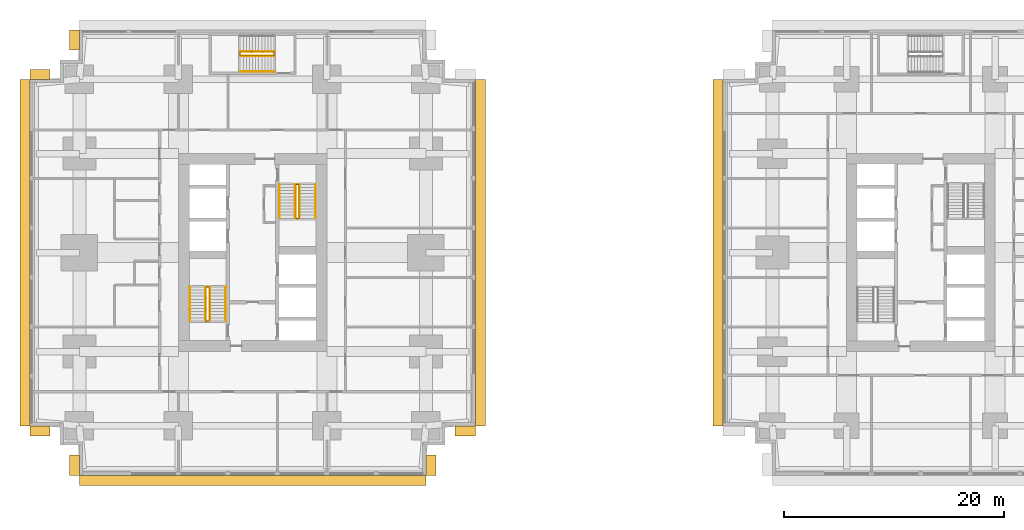
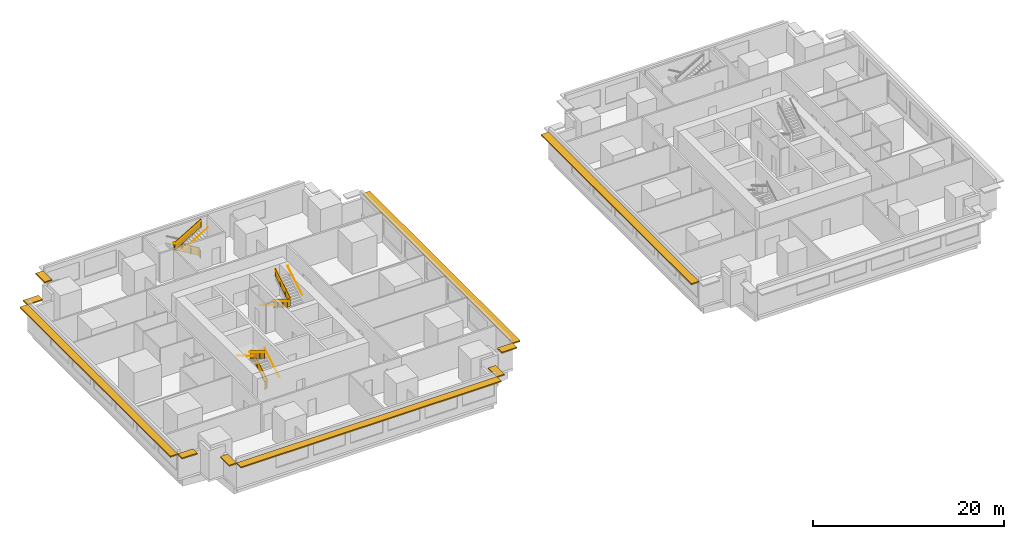
# One storey, part 9 of 11: 14 railings, 10 shading devices.
"""IFC4 building model written with IfcOpenShell, lengths in metres."""

from ifc_helpers import new_model, si_unit, direction, frame, origin, origin_2d, place, context, subcontext, project, spatial, polyline, rectangle, circle, outline, extrude, material, layer, layer_set, type_object, element, save


model = new_model("IFC4")

# Units and contexts
model_context = context("Model", 3, precision=1e-05, world=origin(), true_north=direction((0.0, 1.0)))
body_context = subcontext(model_context, "Body", "Model", "MODEL_VIEW")
ifc_project = project(units=[si_unit("LENGTHUNIT", "METRE"), si_unit("AREAUNIT", "SQUARE_METRE"), si_unit("VOLUMEUNIT", "CUBIC_METRE"), si_unit("PLANEANGLEUNIT", "RADIAN"), si_unit("MASSUNIT", "GRAM", prefix="KILO")], contexts=[model_context])

# Site, building, storey
site_placement = place(None, origin())
site = spatial("IfcSite", under=ifc_project, at=site_placement, CompositionType="ELEMENT")
building_placement = place(site_placement, origin())
building = spatial("IfcBuilding", under=site, at=building_placement, Name="Namib Vertical Campus", CompositionType="ELEMENT")
storey_placement = place(building_placement, frame((0.0, 0.0, 33.0)))
storey = spatial("IfcBuildingStorey", under=building, at=storey_placement, Name="L07", CompositionType="ELEMENT", Elevation=33.0)

# Railings
ifc_material_1 = material(Name="Steel handrail", Category="steel")
railing_type_1 = type_object("IfcRailingType", Name="Handrail 900", PredefinedType="HANDRAIL", material=ifc_material_1)
railing_1_placement = place(storey_placement, frame((17.800048828125, 14.050048828125, 0.166748046875)))
element("IfcRailing", 1, at=railing_1_placement, inside=storey, type_object=railing_type_1, Name="Handrail HR1 A-S1 L07 1", PredefinedType="HANDRAIL", context=body_context, shape_type="SweptSolid", body=[
    extrude(circle(Radius=0.02392578125, at=origin_2d()), frame((0.0, 0.0, 0.8759765625), z_axis=(0.0, 0.859290745958, 0.51148745235), x_axis=(-1.0, 0.0, 0.0)), (0.0, 0.0, 1.0), 3.584228515625),
    extrude(circle(Radius=0.008056640625, at=origin_2d()), frame((0.0, 0.0, 0.8759765625), z_axis=(1.0, 0.0, 0.0), x_axis=(0.0, 0.0, 1.0)), (0.0, 0.0, 1.0), 0.050048828125),
    extrude(circle(Radius=0.008056640625, at=origin_2d()), frame((0.0, 1.026611328125, 1.48681640625), z_axis=(1.0, 0.0, 0.0), x_axis=(0.0, 0.0, 1.0)), (0.0, 0.0, 1.0), 0.050048828125),
    extrude(circle(Radius=0.008056640625, at=origin_2d()), frame((0.0, 2.05322265625, 2.09814453125), z_axis=(1.0, 0.0, 0.0), x_axis=(0.0, 0.0, 1.0)), (0.0, 0.0, 1.0), 0.050048828125),
    extrude(circle(Radius=0.008056640625, at=origin_2d()), frame((0.0, 3.079833984375, 2.708984375), z_axis=(1.0, 0.0, 0.0), x_axis=(0.0, 0.0, 1.0)), (0.0, 0.0, 1.0), 0.050048828125),
])
railing_2_placement = place(storey_placement, frame((14.550048828125, 17.1298828125, 2.166748046875)))
element("IfcRailing", 2, at=railing_2_placement, inside=storey, type_object=railing_type_1, Name="Handrail HR1 A-S1 L07 2", PredefinedType="HANDRAIL", context=body_context, shape_type="SweptSolid", body=[
    extrude(circle(Radius=0.02392578125, at=origin_2d()), frame((0.0, 0.0, 0.8759765625), z_axis=(0.0, -0.859290745958, 0.51148745235), x_axis=(1.0, 0.0, 0.0)), (0.0, 0.0, 1.0), 3.584228515625),
    extrude(circle(Radius=0.008056640625, at=origin_2d()), frame((0.0, 0.0, 0.8759765625), z_axis=(-1.0, 0.0, 0.0), x_axis=(0.0, 0.0, 1.0)), (0.0, 0.0, 1.0), 0.050048828125),
    extrude(circle(Radius=0.008056640625, at=origin_2d()), frame((0.0, -1.026611328125, 1.48681640625), z_axis=(-1.0, 0.0, 0.0), x_axis=(0.0, 0.0, 1.0)), (0.0, 0.0, 1.0), 0.050048828125),
    extrude(circle(Radius=0.008056640625, at=origin_2d()), frame((0.0, -2.05322265625, 2.09814453125), z_axis=(-1.0, 0.0, 0.0), x_axis=(0.0, 0.0, 1.0)), (0.0, 0.0, 1.0), 0.050048828125),
    extrude(circle(Radius=0.008056640625, at=origin_2d()), frame((0.0, -3.079833984375, 2.708984375), z_axis=(-1.0, 0.0, 0.0), x_axis=(0.0, 0.0, 1.0)), (0.0, 0.0, 1.0), 0.050048828125),
])
railing_3_placement = place(storey_placement, frame((16.375, 14.050048828125, 0.166748046875)))
element("IfcRailing", 3, at=railing_3_placement, inside=storey, type_object=railing_type_1, Name="Handrail HR1 A-S1 L07 1 at the well", PredefinedType="HANDRAIL", context=body_context, shape_type="SweptSolid", body=[
    extrude(circle(Radius=0.02392578125, at=origin_2d()), frame((0.0, 0.0, 0.8759765625), z_axis=(0.0, 0.859290745958, 0.51148745235), x_axis=(-1.0, 0.0, 0.0)), (0.0, 0.0, 1.0), 3.584228515625),
    extrude(circle(Radius=0.008056640625, at=origin_2d()), frame((0.0, 0.0, 0.8759765625), z_axis=(-1.0, 0.0, 0.0), x_axis=(0.0, 0.0, 1.0)), (0.0, 0.0, 1.0), 0.0400390625),
    extrude(circle(Radius=0.008056640625, at=origin_2d()), frame((0.0, 1.026611328125, 1.48681640625), z_axis=(-1.0, 0.0, 0.0), x_axis=(0.0, 0.0, 1.0)), (0.0, 0.0, 1.0), 0.0400390625),
    extrude(circle(Radius=0.008056640625, at=origin_2d()), frame((0.0, 2.05322265625, 2.09814453125), z_axis=(-1.0, 0.0, 0.0), x_axis=(0.0, 0.0, 1.0)), (0.0, 0.0, 1.0), 0.0400390625),
    extrude(circle(Radius=0.008056640625, at=origin_2d()), frame((0.0, 3.079833984375, 2.708984375), z_axis=(-1.0, 0.0, 0.0), x_axis=(0.0, 0.0, 1.0)), (0.0, 0.0, 1.0), 0.0400390625),
])
railing_4_placement = place(storey_placement, frame((15.97509765625, 17.1298828125, 2.166748046875)))
element("IfcRailing", 4, at=railing_4_placement, inside=storey, type_object=railing_type_1, Name="Handrail HR1 A-S1 L07 2 at the well", PredefinedType="HANDRAIL", context=body_context, shape_type="SweptSolid", body=[
    extrude(circle(Radius=0.02392578125, at=origin_2d()), frame((0.0, 0.0, 0.8759765625), z_axis=(0.0, -0.859290745958, 0.51148745235), x_axis=(1.0, 0.0, 0.0)), (0.0, 0.0, 1.0), 3.584228515625),
    extrude(circle(Radius=0.008056640625, at=origin_2d()), frame((0.0, 0.0, 0.8759765625), z_axis=(1.0, 0.0, 0.0), x_axis=(0.0, 0.0, 1.0)), (0.0, 0.0, 1.0), 0.0400390625),
    extrude(circle(Radius=0.008056640625, at=origin_2d()), frame((0.0, -1.026611328125, 1.48681640625), z_axis=(1.0, 0.0, 0.0), x_axis=(0.0, 0.0, 1.0)), (0.0, 0.0, 1.0), 0.0400390625),
    extrude(circle(Radius=0.008056640625, at=origin_2d()), frame((0.0, -2.05322265625, 2.09814453125), z_axis=(1.0, 0.0, 0.0), x_axis=(0.0, 0.0, 1.0)), (0.0, 0.0, 1.0), 0.0400390625),
    extrude(circle(Radius=0.008056640625, at=origin_2d()), frame((0.0, -3.079833984375, 2.708984375), z_axis=(1.0, 0.0, 0.0), x_axis=(0.0, 0.0, 1.0)), (0.0, 0.0, 1.0), 0.0400390625),
])
railing_5_placement = place(storey_placement, frame((22.699951171875, 26.449951171875, 0.166748046875)))
element("IfcRailing", 5, at=railing_5_placement, inside=storey, type_object=railing_type_1, Name="Handrail HR1 A-S2 L07 1", PredefinedType="HANDRAIL", context=body_context, shape_type="SweptSolid", body=[
    extrude(circle(Radius=0.02392578125, at=origin_2d()), frame((0.0, 0.0, 0.8759765625), z_axis=(0.0, -0.859290745958, 0.51148745235), x_axis=(1.0, 0.0, 0.0)), (0.0, 0.0, 1.0), 3.584228515625),
    extrude(circle(Radius=0.008056640625, at=origin_2d()), frame((0.0, 0.0, 0.8759765625), z_axis=(-1.0, 0.0, 0.0), x_axis=(0.0, 0.0, 1.0)), (0.0, 0.0, 1.0), 0.050048828125),
    extrude(circle(Radius=0.008056640625, at=origin_2d()), frame((0.0, -1.026611328125, 1.48681640625), z_axis=(-1.0, 0.0, 0.0), x_axis=(0.0, 0.0, 1.0)), (0.0, 0.0, 1.0), 0.050048828125),
    extrude(circle(Radius=0.008056640625, at=origin_2d()), frame((0.0, -2.05322265625, 2.09814453125), z_axis=(-1.0, 0.0, 0.0), x_axis=(0.0, 0.0, 1.0)), (0.0, 0.0, 1.0), 0.050048828125),
    extrude(circle(Radius=0.008056640625, at=origin_2d()), frame((0.0, -3.079833984375, 2.708984375), z_axis=(-1.0, 0.0, 0.0), x_axis=(0.0, 0.0, 1.0)), (0.0, 0.0, 1.0), 0.050048828125),
])
railing_6_placement = place(storey_placement, frame((25.949951171875, 23.3701171875, 2.166748046875)))
element("IfcRailing", 6, at=railing_6_placement, inside=storey, type_object=railing_type_1, Name="Handrail HR1 A-S2 L07 2", PredefinedType="HANDRAIL", context=body_context, shape_type="SweptSolid", body=[
    extrude(circle(Radius=0.02392578125, at=origin_2d()), frame((0.0, 0.0, 0.8759765625), z_axis=(0.0, 0.859290745958, 0.51148745235), x_axis=(-1.0, 0.0, 0.0)), (0.0, 0.0, 1.0), 3.584228515625),
    extrude(circle(Radius=0.008056640625, at=origin_2d()), frame((0.0, 0.0, 0.8759765625), z_axis=(1.0, 0.0, 0.0), x_axis=(0.0, 0.0, 1.0)), (0.0, 0.0, 1.0), 0.050048828125),
    extrude(circle(Radius=0.008056640625, at=origin_2d()), frame((0.0, 1.026611328125, 1.48681640625), z_axis=(1.0, 0.0, 0.0), x_axis=(0.0, 0.0, 1.0)), (0.0, 0.0, 1.0), 0.050048828125),
    extrude(circle(Radius=0.008056640625, at=origin_2d()), frame((0.0, 2.05322265625, 2.09814453125), z_axis=(1.0, 0.0, 0.0), x_axis=(0.0, 0.0, 1.0)), (0.0, 0.0, 1.0), 0.050048828125),
    extrude(circle(Radius=0.008056640625, at=origin_2d()), frame((0.0, 3.079833984375, 2.708984375), z_axis=(1.0, 0.0, 0.0), x_axis=(0.0, 0.0, 1.0)), (0.0, 0.0, 1.0), 0.050048828125),
])
railing_7_placement = place(storey_placement, frame((24.125, 26.449951171875, 0.166748046875)))
element("IfcRailing", 7, at=railing_7_placement, inside=storey, type_object=railing_type_1, Name="Handrail HR1 A-S2 L07 1 at the well", PredefinedType="HANDRAIL", context=body_context, shape_type="SweptSolid", body=[
    extrude(circle(Radius=0.02392578125, at=origin_2d()), frame((0.0, 0.0, 0.8759765625), z_axis=(0.0, -0.859290745958, 0.51148745235), x_axis=(1.0, 0.0, 0.0)), (0.0, 0.0, 1.0), 3.584228515625),
    extrude(circle(Radius=0.008056640625, at=origin_2d()), frame((0.0, 0.0, 0.8759765625), z_axis=(1.0, 0.0, 0.0), x_axis=(0.0, 0.0, 1.0)), (0.0, 0.0, 1.0), 0.0400390625),
    extrude(circle(Radius=0.008056640625, at=origin_2d()), frame((0.0, -1.026611328125, 1.48681640625), z_axis=(1.0, 0.0, 0.0), x_axis=(0.0, 0.0, 1.0)), (0.0, 0.0, 1.0), 0.0400390625),
    extrude(circle(Radius=0.008056640625, at=origin_2d()), frame((0.0, -2.05322265625, 2.09814453125), z_axis=(1.0, 0.0, 0.0), x_axis=(0.0, 0.0, 1.0)), (0.0, 0.0, 1.0), 0.0400390625),
    extrude(circle(Radius=0.008056640625, at=origin_2d()), frame((0.0, -3.079833984375, 2.708984375), z_axis=(1.0, 0.0, 0.0), x_axis=(0.0, 0.0, 1.0)), (0.0, 0.0, 1.0), 0.0400390625),
])
railing_8_placement = place(storey_placement, frame((24.52490234375, 23.3701171875, 2.166748046875)))
element("IfcRailing", 8, at=railing_8_placement, inside=storey, type_object=railing_type_1, Name="Handrail HR1 A-S2 L07 2 at the well", PredefinedType="HANDRAIL", context=body_context, shape_type="SweptSolid", body=[
    extrude(circle(Radius=0.02392578125, at=origin_2d()), frame((0.0, 0.0, 0.8759765625), z_axis=(0.0, 0.859290745958, 0.51148745235), x_axis=(-1.0, 0.0, 0.0)), (0.0, 0.0, 1.0), 3.584228515625),
    extrude(circle(Radius=0.008056640625, at=origin_2d()), frame((0.0, 0.0, 0.8759765625), z_axis=(-1.0, 0.0, 0.0), x_axis=(0.0, 0.0, 1.0)), (0.0, 0.0, 1.0), 0.0400390625),
    extrude(circle(Radius=0.008056640625, at=origin_2d()), frame((0.0, 1.026611328125, 1.48681640625), z_axis=(-1.0, 0.0, 0.0), x_axis=(0.0, 0.0, 1.0)), (0.0, 0.0, 1.0), 0.0400390625),
    extrude(circle(Radius=0.008056640625, at=origin_2d()), frame((0.0, 2.05322265625, 2.09814453125), z_axis=(-1.0, 0.0, 0.0), x_axis=(0.0, 0.0, 1.0)), (0.0, 0.0, 1.0), 0.0400390625),
    extrude(circle(Radius=0.008056640625, at=origin_2d()), frame((0.0, 3.079833984375, 2.708984375), z_axis=(-1.0, 0.0, 0.0), x_axis=(0.0, 0.0, 1.0)), (0.0, 0.0, 1.0), 0.0400390625),
])
railing_9_placement = place(storey_placement, frame((19.1201171875, 36.699951171875, 2.166748046875)))
element("IfcRailing", 9, at=railing_9_placement, inside=storey, type_object=railing_type_1, Name="Handrail HR1 A-S3 L07 2", PredefinedType="HANDRAIL", context=body_context, shape_type="SweptSolid", body=[
    extrude(circle(Radius=0.02392578125, at=origin_2d()), frame((0.0, 0.0, 0.8759765625), z_axis=(0.859290745958, 0.0, 0.51148745235), x_axis=(0.0, 1.0, 0.0)), (0.0, 0.0, 1.0), 3.584228515625),
    extrude(circle(Radius=0.008056640625, at=origin_2d()), frame((0.0, 0.0, 0.8759765625), z_axis=(0.0, -1.0, 0.0), x_axis=(0.0, 0.0, 1.0)), (0.0, 0.0, 1.0), 0.050048828125),
    extrude(circle(Radius=0.008056640625, at=origin_2d()), frame((1.026611328125, 0.0, 1.48681640625), z_axis=(0.0, -1.0, 0.0), x_axis=(0.0, 0.0, 1.0)), (0.0, 0.0, 1.0), 0.050048828125),
    extrude(circle(Radius=0.008056640625, at=origin_2d()), frame((2.05322265625, 0.0, 2.09814453125), z_axis=(0.0, -1.0, 0.0), x_axis=(0.0, 0.0, 1.0)), (0.0, 0.0, 1.0), 0.050048828125),
    extrude(circle(Radius=0.008056640625, at=origin_2d()), frame((3.079833984375, 0.0, 2.708984375), z_axis=(0.0, -1.0, 0.0), x_axis=(0.0, 0.0, 1.0)), (0.0, 0.0, 1.0), 0.050048828125),
])
railing_10_placement = place(storey_placement, frame((22.199951171875, 38.52490234375, 0.166748046875)))
element("IfcRailing", 10, at=railing_10_placement, inside=storey, type_object=railing_type_1, Name="Handrail HR1 A-S3 L07 1 at the well", PredefinedType="HANDRAIL", context=body_context, shape_type="SweptSolid", body=[
    extrude(circle(Radius=0.02392578125, at=origin_2d()), frame((0.0, 0.0, 0.8759765625), z_axis=(-0.859290745958, 0.0, 0.51148745235), x_axis=(0.0, -1.0, 0.0)), (0.0, 0.0, 1.0), 3.584228515625),
    extrude(circle(Radius=0.008056640625, at=origin_2d()), frame((0.0, 0.0, 0.8759765625), z_axis=(0.0, -1.0, 0.0), x_axis=(0.0, 0.0, 1.0)), (0.0, 0.0, 1.0), 0.0400390625),
    extrude(circle(Radius=0.008056640625, at=origin_2d()), frame((-1.026611328125, 0.0, 1.48681640625), z_axis=(0.0, -1.0, 0.0), x_axis=(0.0, 0.0, 1.0)), (0.0, 0.0, 1.0), 0.0400390625),
    extrude(circle(Radius=0.008056640625, at=origin_2d()), frame((-2.05322265625, 0.0, 2.09814453125), z_axis=(0.0, -1.0, 0.0), x_axis=(0.0, 0.0, 1.0)), (0.0, 0.0, 1.0), 0.0400390625),
    extrude(circle(Radius=0.008056640625, at=origin_2d()), frame((-3.079833984375, 0.0, 2.708984375), z_axis=(0.0, -1.0, 0.0), x_axis=(0.0, 0.0, 1.0)), (0.0, 0.0, 1.0), 0.0400390625),
])
railing_11_placement = place(storey_placement, frame((19.1201171875, 38.125, 2.166748046875)))
element("IfcRailing", 11, at=railing_11_placement, inside=storey, type_object=railing_type_1, Name="Handrail HR1 A-S3 L07 2 at the well", PredefinedType="HANDRAIL", context=body_context, shape_type="SweptSolid", body=[
    extrude(circle(Radius=0.02392578125, at=origin_2d()), frame((0.0, 0.0, 0.8759765625), z_axis=(0.859290745958, 0.0, 0.51148745235), x_axis=(0.0, 1.0, 0.0)), (0.0, 0.0, 1.0), 3.584228515625),
    extrude(circle(Radius=0.008056640625, at=origin_2d()), frame((0.0, 0.0, 0.8759765625), z_axis=(0.0, 1.0, 0.0), x_axis=(0.0, 0.0, 1.0)), (0.0, 0.0, 1.0), 0.0400390625),
    extrude(circle(Radius=0.008056640625, at=origin_2d()), frame((1.026611328125, 0.0, 1.48681640625), z_axis=(0.0, 1.0, 0.0), x_axis=(0.0, 0.0, 1.0)), (0.0, 0.0, 1.0), 0.0400390625),
    extrude(circle(Radius=0.008056640625, at=origin_2d()), frame((2.05322265625, 0.0, 2.09814453125), z_axis=(0.0, 1.0, 0.0), x_axis=(0.0, 0.0, 1.0)), (0.0, 0.0, 1.0), 0.0400390625),
    extrude(circle(Radius=0.008056640625, at=origin_2d()), frame((3.079833984375, 0.0, 2.708984375), z_axis=(0.0, 1.0, 0.0), x_axis=(0.0, 0.0, 1.0)), (0.0, 0.0, 1.0), 0.0400390625),
])
ifc_material_2 = material(Name="Steel balustrade", Category="steel")
railing_type_2 = type_object("IfcRailingType", Name="Stair guard 1100", PredefinedType="GUARDRAIL", material=ifc_material_2)
railing_12_placement = place(storey_placement, frame((16.02490234375, 14.050048828125, 0.0)))
element("IfcRailing", 12, at=railing_12_placement, inside=storey, type_object=railing_type_2, Name="Stair guard GR1 A-S1 L07", PredefinedType="GUARDRAIL", context=body_context, shape_type="SweptSolid", body=[
    extrude(circle(Radius=0.02392578125, at=origin_2d()), frame((0.0, 0.0, 1.076171875), z_axis=(1.0, 0.0, 0.0), x_axis=(0.0, 1.0, 0.0)), (0.0, 0.0, 1.0), 0.300048828125),
    extrude(outline(polyline([(0.02099609375, 0.050048828125), (0.279052734375, 0.050048828125), (0.279052734375, 1.052001953125), (0.02099609375, 1.052001953125), (0.02099609375, 0.050048828125)])), frame((0.0, 0.010009765625, 0.0), z_axis=(0.0, -1.0, 0.0), x_axis=(1.0, 0.0, 0.0)), (0.0, 0.0, 1.0), 0.02001953125),
    extrude(circle(Radius=0.02392578125, at=origin_2d()), frame((0.300048828125, 0.0, 1.076171875), z_axis=(0.0, 0.0, 1.0), x_axis=(1.0, 0.0, 0.0)), (0.0, 0.0, 1.0), 0.166748046875),
    extrude(circle(Radius=0.02392578125, at=origin_2d()), frame((0.300048828125, 0.0, 1.24267578125), z_axis=(0.0, 0.859290745958, 0.51148745235), x_axis=(-1.0, 0.0, 0.0)), (0.0, 0.0, 1.0), 3.584228515625),
    extrude(outline(polyline([(0.02099609375, 0.0625), (3.058837890625, 1.870849609375), (3.058837890625, 2.872802734375), (0.02099609375, 1.064453125), (0.02099609375, 0.0625)])), frame((0.2900390625, 0.0, 0.166748046875), z_axis=(1.0, 0.0, 0.0), x_axis=(0.0, 1.0, 0.0)), (0.0, 0.0, 1.0), 0.02001953125),
    extrude(circle(Radius=0.02392578125, at=origin_2d()), frame((0.300048828125, 3.079833984375, 3.076171875), z_axis=(-1.0, 0.0, 0.0), x_axis=(0.0, -1.0, 0.0)), (0.0, 0.0, 1.0), 0.300048828125),
    extrude(outline(polyline([(0.02099609375, 0.050048828125), (0.279052734375, 0.050048828125), (0.279052734375, 1.052001953125), (0.02099609375, 1.052001953125), (0.02099609375, 0.050048828125)])), frame((0.300048828125, 3.06982421875, 2.0), z_axis=(0.0, 1.0, 0.0), x_axis=(-1.0, 0.0, 0.0)), (0.0, 0.0, 1.0), 0.02001953125),
    extrude(circle(Radius=0.02392578125, at=origin_2d()), frame((0.0, 3.079833984375, 3.076171875), z_axis=(0.0, 0.0, 1.0), x_axis=(1.0, 0.0, 0.0)), (0.0, 0.0, 1.0), 0.166748046875),
    extrude(circle(Radius=0.02392578125, at=origin_2d()), frame((0.0, 3.079833984375, 3.24267578125), z_axis=(0.0, -0.859290745958, 0.51148745235), x_axis=(1.0, 0.0, 0.0)), (0.0, 0.0, 1.0), 3.584228515625),
    extrude(outline(polyline([(0.02099609375, 0.0625), (3.058837890625, 1.870849609375), (3.058837890625, 2.872802734375), (0.02099609375, 1.064453125), (0.02099609375, 0.0625)])), frame((0.010009765625, 3.079833984375, 2.166748046875), z_axis=(-1.0, 0.0, 0.0), x_axis=(0.0, -1.0, 0.0)), (0.0, 0.0, 1.0), 0.02001953125),
    extrude(circle(Radius=0.02392578125, at=origin_2d()), frame((0.0, 0.0, 5.076171875), z_axis=(0.0, -1.0, 0.0), x_axis=(1.0, 0.0, 0.0)), (0.0, 0.0, 1.0), 0.050048828125),
    extrude(outline(polyline([(0.02099609375, 0.050048828125), (0.029052734375, 0.050048828125), (0.029052734375, 1.052001953125), (0.02099609375, 1.052001953125), (0.02099609375, 0.050048828125)])), frame((0.010009765625, 0.0, 4.0), z_axis=(-1.0, 0.0, 0.0), x_axis=(0.0, -1.0, 0.0)), (0.0, 0.0, 1.0), 0.02001953125),
    extrude(circle(Radius=0.02099609375, at=origin_2d()), origin(), (0.0, 0.0, 1.0), 1.052001953125),
    extrude(circle(Radius=0.02099609375, at=origin_2d()), frame((0.300048828125, 0.0, 0.166748046875)), (0.0, 0.0, 1.0), 1.052001953125),
    extrude(circle(Radius=0.02099609375, at=origin_2d()), frame((0.300048828125, 1.026611328125, 0.666748046875)), (0.0, 0.0, 1.0), 1.1630859375),
    extrude(circle(Radius=0.02099609375, at=origin_2d()), frame((0.300048828125, 2.05322265625, 1.33349609375)), (0.0, 0.0, 1.0), 1.107421875),
    extrude(circle(Radius=0.02099609375, at=origin_2d()), frame((0.300048828125, 3.079833984375, 2.0)), (0.0, 0.0, 1.0), 1.052001953125),
    extrude(circle(Radius=0.02099609375, at=origin_2d()), frame((0.0, 3.079833984375, 2.166748046875)), (0.0, 0.0, 1.0), 1.052001953125),
    extrude(circle(Radius=0.02099609375, at=origin_2d()), frame((0.0, 2.05322265625, 2.666748046875)), (0.0, 0.0, 1.0), 1.1630859375),
    extrude(circle(Radius=0.02099609375, at=origin_2d()), frame((0.0, 1.026611328125, 3.33349609375)), (0.0, 0.0, 1.0), 1.107421875),
    extrude(circle(Radius=0.02099609375, at=origin_2d()), frame((0.0, 0.0, 4.0)), (0.0, 0.0, 1.0), 1.052001953125),
    extrude(circle(Radius=0.02099609375, at=origin_2d()), frame((0.0, -0.050048828125, 4.0)), (0.0, 0.0, 1.0), 1.052001953125),
])
railing_13_placement = place(storey_placement, frame((24.47509765625, 26.449951171875, 0.0)))
element("IfcRailing", 13, at=railing_13_placement, inside=storey, type_object=railing_type_2, Name="Stair guard GR1 A-S2 L07", PredefinedType="GUARDRAIL", context=body_context, shape_type="SweptSolid", body=[
    extrude(circle(Radius=0.02392578125, at=origin_2d()), frame((0.0, 0.0, 1.076171875), z_axis=(-1.0, 0.0, 0.0), x_axis=(0.0, -1.0, 0.0)), (0.0, 0.0, 1.0), 0.300048828125),
    extrude(outline(polyline([(0.02099609375, 0.050048828125), (0.279052734375, 0.050048828125), (0.279052734375, 1.052001953125), (0.02099609375, 1.052001953125), (0.02099609375, 0.050048828125)])), frame((0.0, -0.010009765625, 0.0), z_axis=(0.0, 1.0, 0.0), x_axis=(-1.0, 0.0, 0.0)), (0.0, 0.0, 1.0), 0.02001953125),
    extrude(circle(Radius=0.02392578125, at=origin_2d()), frame((-0.300048828125, 0.0, 1.076171875), z_axis=(0.0, 0.0, 1.0), x_axis=(1.0, 0.0, 0.0)), (0.0, 0.0, 1.0), 0.166748046875),
    extrude(circle(Radius=0.02392578125, at=origin_2d()), frame((-0.300048828125, 0.0, 1.24267578125), z_axis=(0.0, -0.859290745958, 0.51148745235), x_axis=(1.0, 0.0, 0.0)), (0.0, 0.0, 1.0), 3.584228515625),
    extrude(outline(polyline([(0.02099609375, 0.0625), (3.058837890625, 1.870849609375), (3.058837890625, 2.872802734375), (0.02099609375, 1.064453125), (0.02099609375, 0.0625)])), frame((-0.2900390625, 0.0, 0.166748046875), z_axis=(-1.0, 0.0, 0.0), x_axis=(0.0, -1.0, 0.0)), (0.0, 0.0, 1.0), 0.02001953125),
    extrude(circle(Radius=0.02392578125, at=origin_2d()), frame((-0.300048828125, -3.079833984375, 3.076171875), z_axis=(1.0, 0.0, 0.0), x_axis=(0.0, 1.0, 0.0)), (0.0, 0.0, 1.0), 0.300048828125),
    extrude(outline(polyline([(0.02099609375, 0.050048828125), (0.279052734375, 0.050048828125), (0.279052734375, 1.052001953125), (0.02099609375, 1.052001953125), (0.02099609375, 0.050048828125)])), frame((-0.300048828125, -3.06982421875, 2.0), z_axis=(0.0, -1.0, 0.0), x_axis=(1.0, 0.0, 0.0)), (0.0, 0.0, 1.0), 0.02001953125),
    extrude(circle(Radius=0.02392578125, at=origin_2d()), frame((0.0, -3.079833984375, 3.076171875), z_axis=(0.0, 0.0, 1.0), x_axis=(1.0, 0.0, 0.0)), (0.0, 0.0, 1.0), 0.166748046875),
    extrude(circle(Radius=0.02392578125, at=origin_2d()), frame((0.0, -3.079833984375, 3.24267578125), z_axis=(0.0, 0.859290745958, 0.51148745235), x_axis=(-1.0, 0.0, 0.0)), (0.0, 0.0, 1.0), 3.584228515625),
    extrude(outline(polyline([(0.02099609375, 0.0625), (3.058837890625, 1.870849609375), (3.058837890625, 2.872802734375), (0.02099609375, 1.064453125), (0.02099609375, 0.0625)])), frame((-0.010009765625, -3.079833984375, 2.166748046875), z_axis=(1.0, 0.0, 0.0), x_axis=(0.0, 1.0, 0.0)), (0.0, 0.0, 1.0), 0.02001953125),
    extrude(circle(Radius=0.02392578125, at=origin_2d()), frame((0.0, 0.0, 5.076171875), z_axis=(0.0, 1.0, 0.0), x_axis=(-1.0, 0.0, 0.0)), (0.0, 0.0, 1.0), 0.050048828125),
    extrude(outline(polyline([(0.02099609375, 0.050048828125), (0.029052734375, 0.050048828125), (0.029052734375, 1.052001953125), (0.02099609375, 1.052001953125), (0.02099609375, 0.050048828125)])), frame((-0.010009765625, 0.0, 4.0), z_axis=(1.0, 0.0, 0.0), x_axis=(0.0, 1.0, 0.0)), (0.0, 0.0, 1.0), 0.02001953125),
    extrude(circle(Radius=0.02099609375, at=origin_2d()), origin(), (0.0, 0.0, 1.0), 1.052001953125),
    extrude(circle(Radius=0.02099609375, at=origin_2d()), frame((-0.300048828125, 0.0, 0.166748046875)), (0.0, 0.0, 1.0), 1.052001953125),
    extrude(circle(Radius=0.02099609375, at=origin_2d()), frame((-0.300048828125, -1.026611328125, 0.666748046875)), (0.0, 0.0, 1.0), 1.1630859375),
    extrude(circle(Radius=0.02099609375, at=origin_2d()), frame((-0.300048828125, -2.05322265625, 1.33349609375)), (0.0, 0.0, 1.0), 1.107421875),
    extrude(circle(Radius=0.02099609375, at=origin_2d()), frame((-0.300048828125, -3.079833984375, 2.0)), (0.0, 0.0, 1.0), 1.052001953125),
    extrude(circle(Radius=0.02099609375, at=origin_2d()), frame((0.0, -3.079833984375, 2.166748046875)), (0.0, 0.0, 1.0), 1.052001953125),
    extrude(circle(Radius=0.02099609375, at=origin_2d()), frame((0.0, -2.05322265625, 2.666748046875)), (0.0, 0.0, 1.0), 1.1630859375),
    extrude(circle(Radius=0.02099609375, at=origin_2d()), frame((0.0, -1.026611328125, 3.33349609375)), (0.0, 0.0, 1.0), 1.107421875),
    extrude(circle(Radius=0.02099609375, at=origin_2d()), frame((0.0, 0.0, 4.0)), (0.0, 0.0, 1.0), 1.052001953125),
    extrude(circle(Radius=0.02099609375, at=origin_2d()), frame((0.0, 0.050048828125, 4.0)), (0.0, 0.0, 1.0), 1.052001953125),
])
railing_14_placement = place(storey_placement, frame((22.199951171875, 38.175048828125, 0.0)))
element("IfcRailing", 14, at=railing_14_placement, inside=storey, type_object=railing_type_2, Name="Stair guard GR1 A-S3 L07", PredefinedType="GUARDRAIL", context=body_context, shape_type="SweptSolid", body=[
    extrude(circle(Radius=0.02392578125, at=origin_2d()), frame((0.0, 0.0, 1.076171875), z_axis=(0.0, 1.0, 0.0), x_axis=(-1.0, 0.0, 0.0)), (0.0, 0.0, 1.0), 0.300048828125),
    extrude(outline(polyline([(0.02099609375, 0.050048828125), (0.279052734375, 0.050048828125), (0.279052734375, 1.052001953125), (0.02099609375, 1.052001953125), (0.02099609375, 0.050048828125)])), frame((-0.010009765625, 0.0, 0.0), z_axis=(1.0, 0.0, 0.0), x_axis=(0.0, 1.0, 0.0)), (0.0, 0.0, 1.0), 0.02001953125),
    extrude(circle(Radius=0.02392578125, at=origin_2d()), frame((0.0, 0.300048828125, 1.076171875), z_axis=(0.0, 0.0, 1.0), x_axis=(1.0, 0.0, 0.0)), (0.0, 0.0, 1.0), 0.166748046875),
    extrude(circle(Radius=0.02392578125, at=origin_2d()), frame((0.0, 0.300048828125, 1.24267578125), z_axis=(-0.859290745958, 0.0, 0.51148745235), x_axis=(0.0, -1.0, 0.0)), (0.0, 0.0, 1.0), 3.584228515625),
    extrude(outline(polyline([(0.02099609375, 0.0625), (3.058837890625, 1.870849609375), (3.058837890625, 2.872802734375), (0.02099609375, 1.064453125), (0.02099609375, 0.0625)])), frame((0.0, 0.2900390625, 0.166748046875), z_axis=(0.0, 1.0, 0.0), x_axis=(-1.0, 0.0, 0.0)), (0.0, 0.0, 1.0), 0.02001953125),
    extrude(circle(Radius=0.02392578125, at=origin_2d()), frame((-3.079833984375, 0.300048828125, 3.076171875), z_axis=(0.0, -1.0, 0.0), x_axis=(1.0, 0.0, 0.0)), (0.0, 0.0, 1.0), 0.300048828125),
    extrude(outline(polyline([(0.02099609375, 0.050048828125), (0.279052734375, 0.050048828125), (0.279052734375, 1.052001953125), (0.02099609375, 1.052001953125), (0.02099609375, 0.050048828125)])), frame((-3.06982421875, 0.300048828125, 2.0), z_axis=(-1.0, 0.0, 0.0), x_axis=(0.0, -1.0, 0.0)), (0.0, 0.0, 1.0), 0.02001953125),
    extrude(circle(Radius=0.02392578125, at=origin_2d()), frame((-3.079833984375, 0.0, 3.076171875), z_axis=(0.0, 0.0, 1.0), x_axis=(1.0, 0.0, 0.0)), (0.0, 0.0, 1.0), 0.166748046875),
    extrude(circle(Radius=0.02392578125, at=origin_2d()), frame((-3.079833984375, 0.0, 3.24267578125), z_axis=(0.859290745958, 0.0, 0.51148745235), x_axis=(0.0, 1.0, 0.0)), (0.0, 0.0, 1.0), 3.584228515625),
    extrude(outline(polyline([(0.02099609375, 0.0625), (3.058837890625, 1.870849609375), (3.058837890625, 2.872802734375), (0.02099609375, 1.064453125), (0.02099609375, 0.0625)])), frame((-3.079833984375, 0.010009765625, 2.166748046875), z_axis=(0.0, -1.0, 0.0), x_axis=(1.0, 0.0, 0.0)), (0.0, 0.0, 1.0), 0.02001953125),
    extrude(circle(Radius=0.02392578125, at=origin_2d()), frame((0.0, 0.0, 5.076171875), z_axis=(1.0, 0.0, 0.0), x_axis=(0.0, 1.0, 0.0)), (0.0, 0.0, 1.0), 0.050048828125),
    extrude(outline(polyline([(0.02099609375, 0.050048828125), (0.029052734375, 0.050048828125), (0.029052734375, 1.052001953125), (0.02099609375, 1.052001953125), (0.02099609375, 0.050048828125)])), frame((0.0, 0.010009765625, 4.0), z_axis=(0.0, -1.0, 0.0), x_axis=(1.0, 0.0, 0.0)), (0.0, 0.0, 1.0), 0.02001953125),
    extrude(circle(Radius=0.02099609375, at=origin_2d()), origin(), (0.0, 0.0, 1.0), 1.052001953125),
    extrude(circle(Radius=0.02099609375, at=origin_2d()), frame((0.0, 0.300048828125, 0.166748046875)), (0.0, 0.0, 1.0), 1.052001953125),
    extrude(circle(Radius=0.02099609375, at=origin_2d()), frame((-1.026611328125, 0.300048828125, 0.666748046875)), (0.0, 0.0, 1.0), 1.1630859375),
    extrude(circle(Radius=0.02099609375, at=origin_2d()), frame((-2.05322265625, 0.300048828125, 1.33349609375)), (0.0, 0.0, 1.0), 1.107421875),
    extrude(circle(Radius=0.02099609375, at=origin_2d()), frame((-3.079833984375, 0.300048828125, 2.0)), (0.0, 0.0, 1.0), 1.052001953125),
    extrude(circle(Radius=0.02099609375, at=origin_2d()), frame((-3.079833984375, 0.0, 2.166748046875)), (0.0, 0.0, 1.0), 1.052001953125),
    extrude(circle(Radius=0.02099609375, at=origin_2d()), frame((-2.05322265625, 0.0, 2.666748046875)), (0.0, 0.0, 1.0), 1.1630859375),
    extrude(circle(Radius=0.02099609375, at=origin_2d()), frame((-1.026611328125, 0.0, 3.33349609375)), (0.0, 0.0, 1.0), 1.107421875),
    extrude(circle(Radius=0.02099609375, at=origin_2d()), frame((0.0, 0.0, 4.0)), (0.0, 0.0, 1.0), 1.052001953125),
    extrude(circle(Radius=0.02099609375, at=origin_2d()), frame((0.050048828125, 0.0, 4.0)), (0.0, 0.0, 1.0), 1.052001953125),
])

# Shading devices
ifc_material_3 = material(Name="Concrete C40/50 precast", Category="concrete")
ifc_layer = layer(ifc_material_3, 0.14990234375)
ifc_layer_set = layer_set([ifc_layer], Name="Concrete C40/50 precast")
shading_device_type = type_object("IfcShadingDeviceType", Name="Sunshade hood 900", PredefinedType="SHUTTER", material=ifc_layer_set)
shading_device_1_placement = place(storey_placement, frame((20.25, -0.449951171875, 3.10009765625), z_axis=(0.0, 0.0, 1.0), x_axis=(1.0, 0.0, 0.0)))
element("IfcShadingDevice", 15, at=shading_device_1_placement, inside=storey, type_object=shading_device_type, Name="Sunshade SH1 L07 1", PredefinedType="SHUTTER", context=body_context, shape_type="SweptSolid", body=[
    extrude(rectangle(XDim=31.5, YDim=0.89990234375, at=origin_2d()), origin(), (0.0, 0.0, 1.0), 0.14990234375),
])
for number, where, z_axis, x_axis, name in (
    (16, (36.449951171875, 0.925048828125, 3.10009765625), (0.0, 0.0, 1.0), (0.0, 1.0, 0.0), "Sunshade SH1 L07 2"),
    (17, (39.574951171875, 4.050048828125, 3.10009765625), (0.0, 0.0, 1.0), (1.0, 0.0, 0.0), "Sunshade SH1 L07 5"),
):
    element("IfcShadingDevice", number, at=place(storey_placement, frame(where, z_axis=z_axis, x_axis=x_axis)), inside=storey, type_object=shading_device_type, Name=name, PredefinedType="SHUTTER", context=body_context, shape_type="SweptSolid", body=[
        extrude(rectangle(XDim=1.85009765625, YDim=0.89990234375, at=origin_2d()), origin(), (0.0, 0.0, 1.0), 0.14990234375),
    ])
shading_device_2_placement = place(storey_placement, frame((40.949951171875, 20.25, 3.10009765625), z_axis=(0.0, 0.0, 1.0), x_axis=(0.0, 1.0, 0.0)))
element("IfcShadingDevice", 18, at=shading_device_2_placement, inside=storey, type_object=shading_device_type, Name="Sunshade SH1 L07 6", PredefinedType="SHUTTER", context=body_context, shape_type="SweptSolid", body=[
    extrude(rectangle(XDim=31.5, YDim=0.89990234375, at=origin_2d()), origin(), (0.0, 0.0, 1.0), 0.14990234375),
])
for number, where, z_axis, x_axis, name in (
    (19, (4.050048828125, 39.574951171875, 3.10009765625), (0.0, 0.0, 1.0), (0.0, -1.0, 0.0), "Sunshade SH1 L07 12"),
    (20, (0.925048828125, 36.449951171875, 3.10009765625), (0.0, 0.0, 1.0), (-1.0, 0.0, 0.0), "Sunshade SH1 L07 15"),
):
    element("IfcShadingDevice", number, at=place(storey_placement, frame(where, z_axis=z_axis, x_axis=x_axis)), inside=storey, type_object=shading_device_type, Name=name, PredefinedType="SHUTTER", context=body_context, shape_type="SweptSolid", body=[
        extrude(rectangle(XDim=1.85009765625, YDim=0.89990234375, at=origin_2d()), origin(), (0.0, 0.0, 1.0), 0.14990234375),
    ])
shading_device_3_placement = place(storey_placement, frame((-0.449951171875, 20.25, 3.10009765625), z_axis=(0.0, 0.0, 1.0), x_axis=(0.0, -1.0, 0.0)))
element("IfcShadingDevice", 21, at=shading_device_3_placement, inside=storey, type_object=shading_device_type, Name="Sunshade SH1 L07 16", PredefinedType="SHUTTER", context=body_context, shape_type="SweptSolid", body=[
    extrude(rectangle(XDim=31.5, YDim=0.89990234375, at=origin_2d()), origin(), (0.0, 0.0, 1.0), 0.14990234375),
])
for number, where, z_axis, x_axis, name in (
    (22, (0.925048828125, 4.050048828125, 3.10009765625), (0.0, 0.0, 1.0), (1.0, 0.0, 0.0), "Sunshade SH1 L07 17"),
    (23, (4.050048828125, 0.925048828125, 3.10009765625), (0.0, 0.0, 1.0), (0.0, -1.0, 0.0), "Sunshade SH1 L07 20"),
):
    element("IfcShadingDevice", number, at=place(storey_placement, frame(where, z_axis=z_axis, x_axis=x_axis)), inside=storey, type_object=shading_device_type, Name=name, PredefinedType="SHUTTER", context=body_context, shape_type="SweptSolid", body=[
        extrude(rectangle(XDim=1.85009765625, YDim=0.89990234375, at=origin_2d()), origin(), (0.0, 0.0, 1.0), 0.14990234375),
    ])
shading_device_4_placement = place(storey_placement, frame((62.550048828125, 20.25, 3.10009765625), z_axis=(0.0, 0.0, 1.0), x_axis=(0.0, -1.0, 0.0)))
element("IfcShadingDevice", 24, at=shading_device_4_placement, inside=storey, type_object=shading_device_type, Name="Sunshade SH1 L07 16", PredefinedType="SHUTTER", context=body_context, shape_type="SweptSolid", body=[
    extrude(rectangle(XDim=31.5, YDim=0.89990234375, at=origin_2d()), origin(), (0.0, 0.0, 1.0), 0.14990234375),
])

save(model, "model.ifc")
